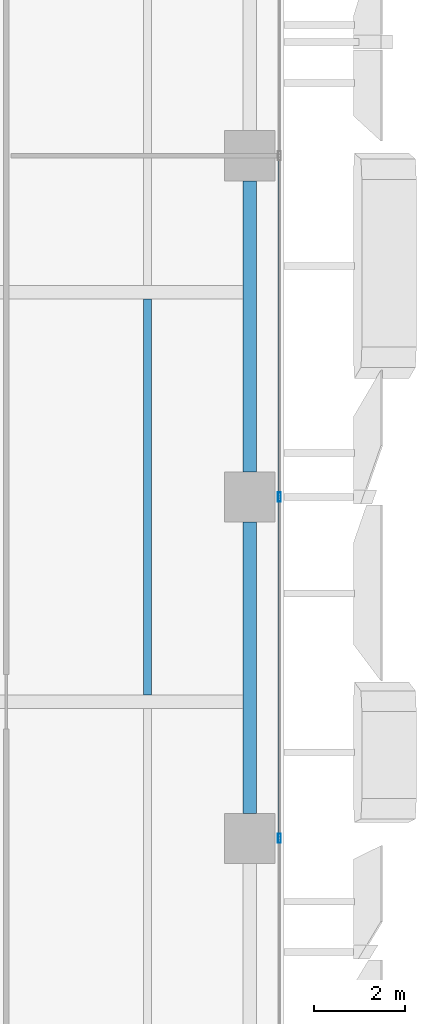
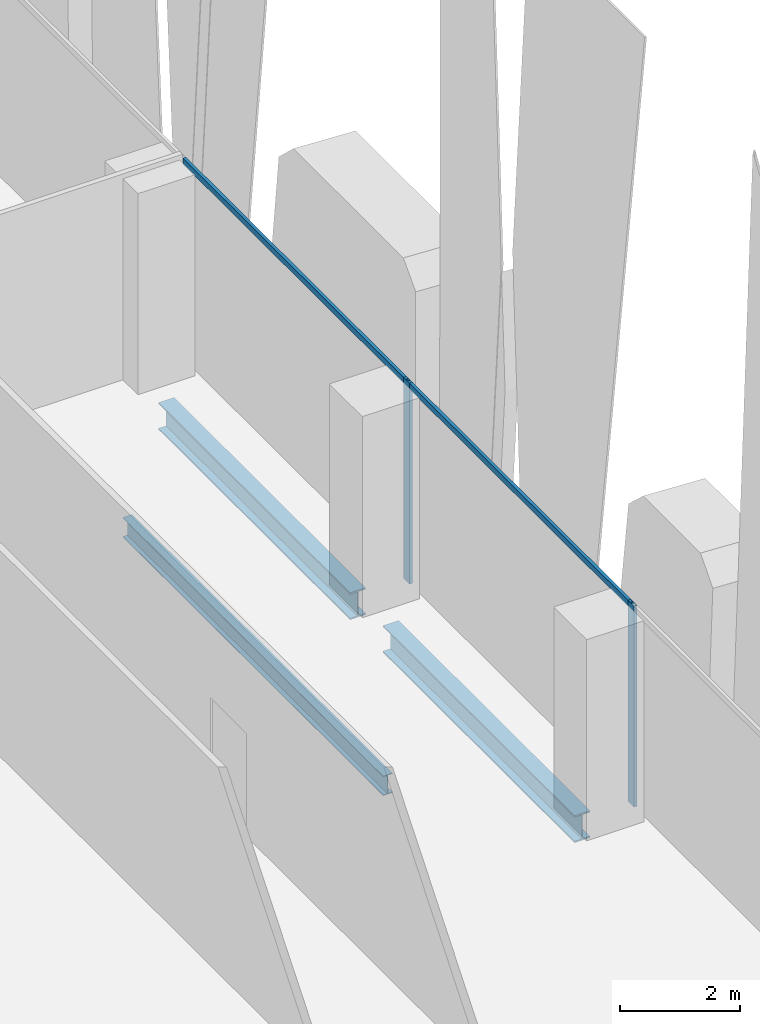
# One storey, part 11 of 34: 4 members, 3 beams, 1 element without a shape of its own.
"""IFC4 building model written with IfcOpenShell, lengths in metres."""

import ifcopenshell
import ifcopenshell.guid

model = None  # the IFC model being written
_history = None  # IfcOwnerHistory: only IFC2X3 demands one
_inside = {}  # id of a spatial element -> (the spatial element, [elements in it])
_under = {}  # id of a project, library or spatial element -> (it, [spatial elements below it])
_declared = {}  # id of a project -> (the project, [libraries it declares])
_typed = {}  # id of a type object -> (the type object, [elements of that type])
_made_of = {}  # id of a material, layer set ... -> (it, [elements and type objects made of it])


def new_model(schema):
    """Start an empty IFC model of exactly this schema.

    Asked for "IFC4X3", IfcOpenShell would pick the latest addendum, in which some entities
    have other attributes; the version numbers below select the first issue.
    IFC2X3 requires an IfcOwnerHistory on every rooted entity: one is made here for all.
    """
    global model, _history
    if schema == "IFC4X3":
        model = ifcopenshell.file(schema_version=(4, 3, 0, 0))
    else:
        model = ifcopenshell.file(schema=schema)
    _inside.clear()
    _under.clear()
    _declared.clear()
    _typed.clear()
    _made_of.clear()
    _history = None
    if model.schema == "IFC2X3":
        org = make("IfcOrganization", Name="unknown")
        user = make(
            "IfcPersonAndOrganization",
            ThePerson=make("IfcPerson", FamilyName="unknown"),
            TheOrganization=org,
        )
        app = make(
            "IfcApplication",
            ApplicationDeveloper=org,
            Version="unknown",
            ApplicationFullName="unknown",
            ApplicationIdentifier="unknown",
        )
        _history = make(
            "IfcOwnerHistory",
            OwningUser=user,
            OwningApplication=app,
            ChangeAction="ADDED",
            CreationDate=0,
        )
    return model


def make(cls, **values):
    """One entity of the class cls with the attributes given. An attribute that is None is left unset."""
    return model.create_entity(
        cls, **{name: value for name, value in values.items() if value is not None}
    )


def rooted(cls, **values):
    """An entity with a GlobalId (a new one), such as an element, a storey or a relation."""
    return make(cls, GlobalId=ifcopenshell.guid.new(), OwnerHistory=_history, **values)


def si_unit(unit_type, name, prefix=None):
    """IfcSIUnit, for example si_unit("LENGTHUNIT", "METRE", prefix="MILLI")."""
    return make("IfcSIUnit", UnitType=unit_type, Prefix=prefix, Name=name)


def assignment(units):
    """IfcUnitAssignment: the units of a project."""
    return None if units is None else make("IfcUnitAssignment", Units=units)


def point(xyz):
    """IfcCartesianPoint."""
    return None if xyz is None else make("IfcCartesianPoint", Coordinates=xyz)


def direction(xyz):
    """IfcDirection."""
    return None if xyz is None else make("IfcDirection", DirectionRatios=xyz)


def frame(location, z_axis=None, x_axis=None):
    """IfcAxis2Placement3D, a coordinate frame: its origin and axes. An axis left out is left unset."""
    return make(
        "IfcAxis2Placement3D",
        Location=point(location),
        Axis=direction(z_axis),
        RefDirection=direction(x_axis),
    )


def frame_2d(location, x_axis=None):
    """IfcAxis2Placement2D, a coordinate frame in the plane: its origin and x axis."""
    return make(
        "IfcAxis2Placement2D", Location=point(location), RefDirection=direction(x_axis)
    )


def origin():
    """The frame at (0, 0, 0) with its axes left unset."""
    return frame((0.0, 0.0, 0.0))


def origin_2d():
    """The frame at (0, 0) in the plane with its x axis left unset."""
    return frame_2d((0.0, 0.0))


def place(relative_to, where):
    """IfcLocalPlacement: puts the frame where relative to a parent placement (None: the world)."""
    return make(
        "IfcLocalPlacement", PlacementRelTo=relative_to, RelativePlacement=where
    )


def context(
    kind, dimensions, precision=None, world=None, true_north=None, identifier=None
):
    """IfcGeometricRepresentationContext, for example the 3D "Model" context."""
    return make(
        "IfcGeometricRepresentationContext",
        ContextIdentifier=identifier,
        ContextType=kind,
        CoordinateSpaceDimension=dimensions,
        Precision=precision,
        WorldCoordinateSystem=world,
        TrueNorth=true_north,
    )


def subcontext(parent, identifier, kind, view, scale=None):
    """IfcGeometricRepresentationSubContext, for example "Body" below "Model"."""
    return make(
        "IfcGeometricRepresentationSubContext",
        ContextIdentifier=identifier,
        ContextType=kind,
        ParentContext=parent,
        TargetScale=scale,
        TargetView=view,
    )


def project(units=None, contexts=None):
    """IfcProject with its units and contexts."""
    return rooted(
        "IfcProject",
        Name="project",
        RepresentationContexts=contexts,
        UnitsInContext=assignment(units),
    )


def spatial(cls, under=None, at=None, **own):
    """A site, building, storey or space (cls), placed at a placement, below another one or the project."""
    s = rooted(cls, ObjectPlacement=at, **own)
    if under is not None:
        _under.setdefault(under.id(), (under, []))[1].append(s)
    return s


def profile(cls, at=None, kind="AREA", **sizes):
    """A parametric profile (cls). Its sizes go by their IFC names, for example OverallWidth=200.0."""
    return make(cls, ProfileType=kind, Position=at, **sizes)


def hollow_rectangle(**sizes):
    """IfcRectangleHollowProfileDef."""
    return profile("IfcRectangleHollowProfileDef", **sizes)


def i_section(**sizes):
    """IfcIShapeProfileDef."""
    return profile("IfcIShapeProfileDef", **sizes)


def extrude(swept, where, along, depth):
    """IfcExtrudedAreaSolid: the profile swept, set in the frame where, extruded along a direction by depth."""
    return make(
        "IfcExtrudedAreaSolid",
        SweptArea=swept,
        Position=where,
        ExtrudedDirection=direction(along),
        Depth=depth,
    )


def shape(context_of_items, identifier, shape_type, items):
    """IfcShapeRepresentation: the items that make up one representation, for example the "Body"."""
    return make(
        "IfcShapeRepresentation",
        ContextOfItems=context_of_items,
        RepresentationIdentifier=identifier,
        RepresentationType=shape_type,
        Items=items,
    )


def source(mapping_origin, context_of_items, identifier, shape_type, items):
    """IfcRepresentationMap: a shape defined once, which mapped items show again and again."""
    return make(
        "IfcRepresentationMap",
        MappingOrigin=mapping_origin,
        MappedRepresentation=shape(context_of_items, identifier, shape_type, items),
    )


def transform(
    local_origin,
    x_axis=None,
    y_axis=None,
    z_axis=None,
    scale=None,
    scale2=None,
    scale3=None,
    uniform=True,
):
    """IfcCartesianTransformationOperator3D, or its non-uniform kind. x_axis, y_axis, z_axis: its Axis1, 2, 3."""
    if uniform:
        return make(
            "IfcCartesianTransformationOperator3D",
            Axis1=direction(x_axis),
            Axis2=direction(y_axis),
            LocalOrigin=point(local_origin),
            Scale=scale,
            Axis3=direction(z_axis),
        )
    return make(
        "IfcCartesianTransformationOperator3DnonUniform",
        Axis1=direction(x_axis),
        Axis2=direction(y_axis),
        LocalOrigin=point(local_origin),
        Scale=scale,
        Axis3=direction(z_axis),
        Scale2=scale2,
        Scale3=scale3,
    )


def mapped(mapping_source, mapping_target):
    """IfcMappedItem: shows the shape of a source again, moved by a transform."""
    return make(
        "IfcMappedItem", MappingSource=mapping_source, MappingTarget=mapping_target
    )


def material(Name=None, Category=None):
    """IfcMaterial."""
    return make("IfcMaterial", Name=Name, Category=Category)


def material_profile(
    of_material, cross_section, Name=None, Category=None, Priority=None
):
    """IfcMaterialProfile: a cross section and its material."""
    return make(
        "IfcMaterialProfile",
        Name=Name,
        Material=of_material,
        Profile=cross_section,
        Priority=Priority,
        Category=Category,
    )


def profile_set(profiles, Name=None, composite=None):
    """IfcMaterialProfileSet."""
    return make(
        "IfcMaterialProfileSet",
        Name=Name,
        MaterialProfiles=profiles,
        CompositeProfile=composite,
    )


def made_of(thing, what):
    """Note that an element or type object is made of a material, layer set ...; save() writes the relation."""
    if what is not None:
        _made_of.setdefault(what.id(), (what, []))[1].append(thing)
    return thing


def type_object(cls, material=None, **own):
    """A type object (cls), such as IfcWallType, which elements share."""
    return made_of(rooted(cls, **own), material)


def element(
    cls,
    number,
    at=None,
    inside=None,
    cuts=None,
    type_object=None,
    material=None,
    context=None,
    identifier="Body",
    shape_type=None,
    held_by="IfcProductDefinitionShape",
    body=None,
    shapes=None,
    **own,
):
    """One element of the class cls, such as IfcWall. Its Tag is "e" and its number.

    at: its placement. inside: the storey or other place that contains it. cuts: it is an
    opening in that element (IfcRelVoidsElement). A single representation is given by context,
    identifier, shape_type and body (its items); several are given by shapes. held_by: the class
    of the entity that holds the representations. save() writes the other relations.
    """
    e = rooted(cls, Tag="e%d" % number, ObjectPlacement=at, **own)
    if body is not None:
        shapes = [shape(context, identifier, shape_type, body)]
    if shapes is not None:
        e.Representation = make(held_by, Representations=shapes)
    if inside is not None:
        _inside.setdefault(inside.id(), (inside, []))[1].append(e)
    if cuts is not None:
        rooted(
            "IfcRelVoidsElement", RelatingBuildingElement=cuts, RelatedOpeningElement=e
        )
    if type_object is not None:
        _typed.setdefault(type_object.id(), (type_object, []))[1].append(e)
    return made_of(e, material)


def aggregate(whole, parts):
    """IfcRelAggregates: a whole, such as a stair, and the parts it consists of."""
    return rooted("IfcRelAggregates", RelatingObject=whole, RelatedObjects=parts)


def save(model, path):
    """Write the relations noted so far, then the file.

    IfcRelAggregates (storeys below a building ...), IfcRelContainedInSpatialStructure (elements
    in a storey), IfcRelDefinesByType, IfcRelAssociatesMaterial and IfcRelDeclares: one each for
    every whole, place, type object, material and project.
    """
    for whole, parts in _under.values():
        aggregate(whole, parts)
    for where, things in _inside.values():
        rooted(
            "IfcRelContainedInSpatialStructure",
            RelatedElements=things,
            RelatingStructure=where,
        )
    for kind, things in _typed.values():
        rooted("IfcRelDefinesByType", RelatedObjects=things, RelatingType=kind)
    for what, things in _made_of.values():
        rooted("IfcRelAssociatesMaterial", RelatedObjects=things, RelatingMaterial=what)
    for by, libraries in _declared.values():
        rooted("IfcRelDeclares", RelatingContext=by, RelatedDefinitions=libraries)
    model.write(path)


model = new_model("IFC4")

# Units and contexts
model_context = context("Model", 3, precision=1e-05, world=origin(), true_north=direction((0.0, 1.0)))
body_context = subcontext(model_context, "Body", "Model", "MODEL_VIEW")
ifc_project = project(units=[si_unit("LENGTHUNIT", "METRE"), si_unit("AREAUNIT", "SQUARE_METRE"), si_unit("VOLUMEUNIT", "CUBIC_METRE"), si_unit("PLANEANGLEUNIT", "RADIAN"), si_unit("MASSUNIT", "GRAM", prefix="KILO")], contexts=[model_context])

# Site, building, storey
site_placement = place(None, origin())
site = spatial("IfcSite", under=ifc_project, at=site_placement, CompositionType="ELEMENT")
building_placement = place(site_placement, origin())
building = spatial("IfcBuilding", under=site, at=building_placement, Name="Khomas Fold Tower", CompositionType="ELEMENT")
storey_placement = place(building_placement, frame((0.0, 0.0, 114.699951171875)))
storey = spatial("IfcBuildingStorey", under=building, at=storey_placement, Name="L24", CompositionType="ELEMENT", Elevation=114.699951171875)

# Beams
ifc_material_1 = material(Name="Steel S355", Category="steel")
ifc_material_profile_1 = material_profile(ifc_material_1, i_section(OverallWidth=0.179931640625, OverallDepth=0.39990234375, WebThickness=0.008544921875, FlangeThickness=0.013427734375, at=origin_2d()), Name="IPE 400")
ifc_profile_set_1 = profile_set([ifc_material_profile_1], Name="Steel S355")
beam_type_1 = type_object("IfcBeamType", Name="IPE 400 beam JB3", PredefinedType="BEAM", material=ifc_profile_set_1)
shared_shape_1 = source(origin(), body_context, "Body", "SweptSolid", [
    extrude(i_section(OverallWidth=0.179931640625, OverallDepth=0.39990234375, WebThickness=0.008544921875, FlangeThickness=0.013427734375, at=origin_2d()), origin(), (0.0, 0.0, 1.0), 8.7001953125),
])
beam_placement = place(storey_placement, frame((49.5, 22.64990234375, -0.5), z_axis=(0.0, 1.0, 0.0), x_axis=(-1.0, 0.0, 0.0)))
element("IfcBeam", 1, at=beam_placement, inside=storey, type_object=beam_type_1, Name="JB3", PredefinedType="BEAM", context=body_context, shape_type="MappedRepresentation", body=[
    mapped(shared_shape_1, transform((0.0, 0.0, 0.0))),
])
ifc_material_2 = material(Name="Steel S355", Category="steel")
ifc_material_profile_2 = material_profile(ifc_material_2, i_section(OverallWidth=0.300048828125, OverallDepth=0.550048828125, WebThickness=0.014892578125, FlangeThickness=0.029052734375, at=origin_2d()), Name="HE 550 B")
ifc_profile_set_2 = profile_set([ifc_material_profile_2], Name="Steel S355")
beam_type_2 = type_object("IfcBeamType", Name="HE 550 B spandrel SB2", PredefinedType="SPANDREL", material=ifc_profile_set_2)
shared_shape_2 = source(origin(), body_context, "Body", "SweptSolid", [
    extrude(i_section(OverallWidth=0.300048828125, OverallDepth=0.550048828125, WebThickness=0.014892578125, FlangeThickness=0.029052734375, at=origin_2d()), origin(), (0.0, 0.0, 1.0), 6.39990234375),
])
for number, where, z_axis, x_axis, name in (
    (2, (51.75, 20.050048828125, -0.574951171875), (0.0, 1.0, 0.0), (-1.0, 0.0, 0.0), "SB2"),
    (3, (51.75, 27.550048828125, -0.574951171875), (0.0, 1.0, 0.0), (-1.0, 0.0, 0.0), "SB2"),
):
    element("IfcBeam", number, at=place(storey_placement, frame(where, z_axis=z_axis, x_axis=x_axis)), inside=storey, type_object=beam_type_2, Name=name, PredefinedType="SPANDREL", context=body_context, shape_type="MappedRepresentation", body=[
        mapped(shared_shape_2, transform((0.0, 0.0, 0.0))),
    ])

# Curtain wall, members
ifc_material_3 = material(Name="Aluminium framed double glazing", Category="aluminium")
curtain_wall_type = type_object("IfcCurtainWallType", Name="SK-Unitised clear-glass wall, growing floors CW1", PredefinedType="NOTDEFINED", material=ifc_material_3)
curtain_wall_placement = place(storey_placement, origin())
curtain_wall = element("IfcCurtainWall", 4, at=curtain_wall_placement, inside=storey, type_object=curtain_wall_type, Name="CW1 run L24 03-0", PredefinedType="NOTDEFINED")
ifc_material_4 = material(Name="Aluminium", Category="aluminium")
ifc_material_profile_3 = material_profile(ifc_material_4, hollow_rectangle(XDim=0.06005859375, YDim=0.1201171875, WallThickness=0.00390625, at=origin_2d()), Name="SK-Unitised clear-glass wall, growing floors transom CW1-T")
ifc_profile_set_3 = profile_set([ifc_material_profile_3], Name="Aluminium")
member_type_1 = type_object("IfcMemberType", Name="SK-Unitised clear-glass wall, growing floors transom CW1-T", PredefinedType="USERDEFINED", material=ifc_profile_set_3)
shared_shape_3 = source(origin(), body_context, "Body", "SweptSolid", [
    extrude(hollow_rectangle(XDim=0.06005859375, YDim=0.1201171875, WallThickness=0.00390625, at=origin_2d()), origin(), (0.0, 0.0, 1.0), 7.43994140625),
])
member_1_placement = place(storey_placement, frame((52.39990234375, 19.530029296875, 4.0400390625), z_axis=(0.0, 1.0, 0.0), x_axis=(-1.0, 0.0, 0.0)))
member_1 = element("IfcMember", 5, at=member_1_placement, type_object=member_type_1, Name="CW1 transom 4", ObjectType="TRANSOM", PredefinedType="USERDEFINED", context=body_context, shape_type="MappedRepresentation", body=[
    mapped(shared_shape_3, transform((0.0, 0.0, 0.0))),
])
member_2_placement = place(storey_placement, frame((52.39990234375, 27.030029296875, 4.0400390625), z_axis=(0.0, 1.0, 0.0), x_axis=(-1.0, 0.0, 0.0)))
member_2 = element("IfcMember", 6, at=member_2_placement, type_object=member_type_1, Name="CW1 transom 5", ObjectType="TRANSOM", PredefinedType="USERDEFINED", context=body_context, shape_type="MappedRepresentation", body=[
    mapped(shared_shape_3, transform((0.0, 0.0, 0.0))),
])
ifc_material_5 = material(Name="Aluminium", Category="aluminium")
ifc_material_profile_4 = material_profile(ifc_material_5, hollow_rectangle(XDim=0.06005859375, YDim=0.199951171875, WallThickness=0.00390625, at=origin_2d()), Name="SK-Unitised clear-glass wall, growing floors mullion CW1-M")
ifc_profile_set_4 = profile_set([ifc_material_profile_4], Name="Aluminium")
member_type_2 = type_object("IfcMemberType", Name="SK-Unitised clear-glass wall, growing floors mullion CW1-M", PredefinedType="MULLION", material=ifc_profile_set_4)
shared_shape_4 = source(origin(), body_context, "Body", "SweptSolid", [
    extrude(hollow_rectangle(XDim=0.06005859375, YDim=0.199951171875, WallThickness=0.00390625, at=origin_2d()), origin(), (0.0, 0.0, 1.0), 4.10009765625),
])
member_3_placement = place(storey_placement, frame((52.39990234375, 19.5, 0.0), z_axis=(0.0, 0.0, 1.0), x_axis=(-1.0, 0.0, 0.0)))
member_3 = element("IfcMember", 7, at=member_3_placement, type_object=member_type_2, Name="CW1 mullion 4", PredefinedType="MULLION", context=body_context, shape_type="MappedRepresentation", body=[
    mapped(shared_shape_4, transform((0.0, 0.0, 0.0))),
])
member_4_placement = place(storey_placement, frame((52.39990234375, 27.0, 0.0), z_axis=(0.0, 0.0, 1.0), x_axis=(-1.0, 0.0, 0.0)))
member_4 = element("IfcMember", 8, at=member_4_placement, type_object=member_type_2, Name="CW1 mullion 5", PredefinedType="MULLION", context=body_context, shape_type="MappedRepresentation", body=[
    mapped(shared_shape_4, transform((0.0, 0.0, 0.0))),
])
aggregate(curtain_wall, [member_3, member_4, member_1, member_2])

save(model, "model.ifc")
